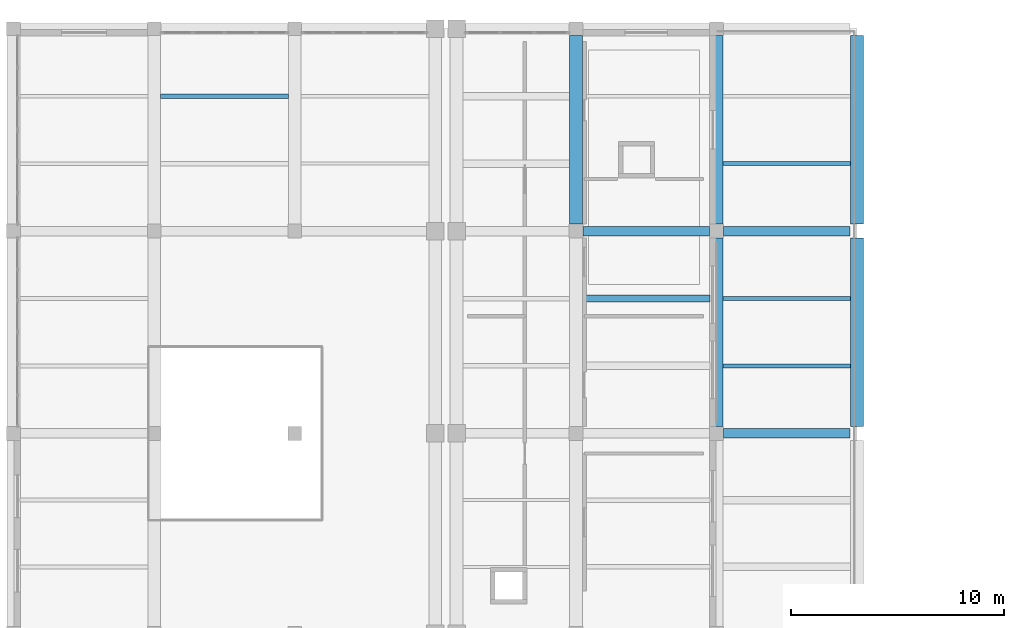
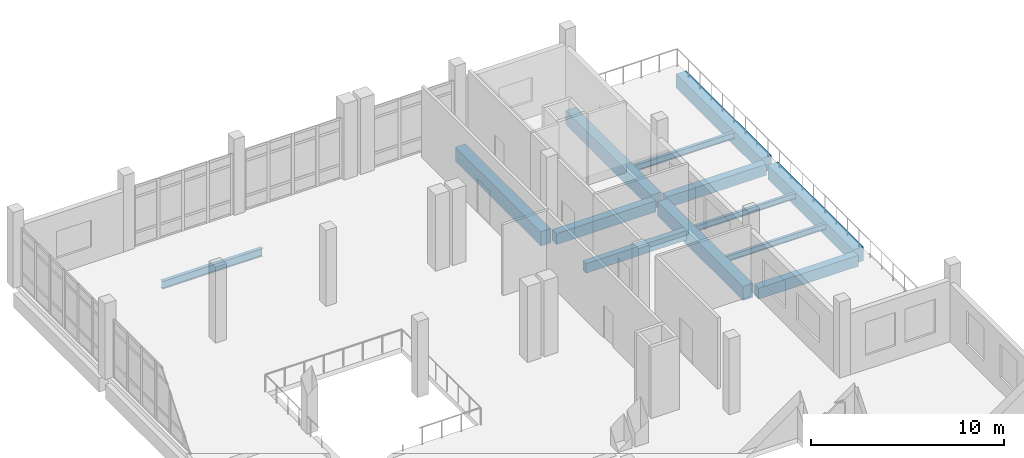
# One storey, part 30 of 73: 13 beams.
"""IFC4 building model written with IfcOpenShell, lengths in metres."""

from ifc_helpers import new_model, si_unit, direction, frame, origin, origin_2d, place, context, subcontext, project, spatial, rectangle, i_section, extrude, material, material_profile, profile_set, type_object, element, save


model = new_model("IFC4")

# Units and contexts
model_context = context("Model", 3, precision=1e-05, world=origin(), true_north=direction((0.0, 1.0)))
body_context = subcontext(model_context, "Body", "Model", "MODEL_VIEW")
ifc_project = project(units=[si_unit("LENGTHUNIT", "METRE"), si_unit("AREAUNIT", "SQUARE_METRE"), si_unit("VOLUMEUNIT", "CUBIC_METRE"), si_unit("PLANEANGLEUNIT", "RADIAN"), si_unit("MASSUNIT", "GRAM", prefix="KILO")], contexts=[model_context])

# Site, building, storey
site_placement = place(None, origin())
site = spatial("IfcSite", under=ifc_project, at=site_placement, CompositionType="ELEMENT")
building_placement = place(site_placement, origin())
building = spatial("IfcBuilding", under=site, at=building_placement, Name="Kelarvand Opera House", CompositionType="ELEMENT")
storey_placement = place(building_placement, frame((0.0, 0.0, 10.199951171875)))
storey = spatial("IfcBuildingStorey", under=building, at=storey_placement, Name="L02", CompositionType="ELEMENT", Elevation=10.199951171875)

# Beams
ifc_material_1 = material(Name="Concrete C35/45", Category="concrete")
ifc_material_profile_1 = material_profile(ifc_material_1, rectangle(XDim=0.35009765625, YDim=0.60009765625, at=origin_2d()), Name="RC 350x600", Category="concrete")
ifc_profile_set_1 = profile_set([ifc_material_profile_1], Name="Concrete C35/45")
beam_type_1 = type_object("IfcBeamType", Name="Structural Beam RC 350x600 BM-RC350x600", PredefinedType="BEAM", material=ifc_profile_set_1)
beam_1_placement = place(storey_placement, frame((122.300048828125, 112.333251953125, -0.599853515625), z_axis=(1.0, 0.0, 0.0), x_axis=(0.0, 1.0, 0.0)))
element("IfcBeam", 1, at=beam_1_placement, inside=storey, type_object=beam_type_1, Name="V5 L02 Beam BM-RC350x600", PredefinedType="BEAM", context=body_context, shape_type="SweptSolid", body=[
    extrude(rectangle(XDim=0.35009765625, YDim=0.60009765625, at=origin_2d()), origin(), (0.0, 0.0, 1.0), 6.0),
])
ifc_material_2 = material(Name="Concrete C40/50", Category="concrete")
ifc_material_profile_2 = material_profile(ifc_material_2, rectangle(XDim=0.449951171875, YDim=0.699951171875, at=origin_2d()), Name="RC 450x700", Category="concrete")
ifc_profile_set_2 = profile_set([ifc_material_profile_2], Name="Concrete C40/50")
beam_type_2 = type_object("IfcBeamType", Name="Structural Beam RC 450x700 BM-RC450x700", PredefinedType="BEAM", material=ifc_profile_set_2)
for number, where, z_axis, x_axis, name in (
    (2, (128.925048828125, 106.0, -0.64990234375), (1.0, 0.0, 0.0), (0.0, 1.0, 0.0), "V5 L02 Beam BM-RC450x700"),
    (3, (122.324951171875, 115.5, -0.64990234375), (1.0, 0.0, 0.0), (0.0, 1.0, 0.0), "V5 L02 Beam BM-RC450x700"),
    (4, (128.925048828125, 115.5, -0.64990234375), (1.0, 0.0, 0.0), (0.0, 1.0, 0.0), "V5 L02 Beam BM-RC450x700"),
):
    element("IfcBeam", number, at=place(storey_placement, frame(where, z_axis=z_axis, x_axis=x_axis)), inside=storey, type_object=beam_type_2, Name=name, PredefinedType="BEAM", context=body_context, shape_type="SweptSolid", body=[
        extrude(rectangle(XDim=0.449951171875, YDim=0.699951171875, at=origin_2d()), origin(), (0.0, 0.0, 1.0), 5.949951171875),
    ])
ifc_material_profile_3 = material_profile(ifc_material_2, rectangle(XDim=0.60009765625, YDim=0.89990234375, at=origin_2d()), Name="RC 600x900", Category="concrete")
ifc_profile_set_3 = profile_set([ifc_material_profile_3], Name="Concrete C40/50")
beam_type_3 = type_object("IfcBeamType", Name="Structural Beam RC 600x900 BM-RC600x900", PredefinedType="BEAM", material=ifc_profile_set_3)
for number, where, z_axis, x_axis, name in (
    (5, (122.0, 115.824951171875, -0.75), (0.0, 1.0, 0.0), (-1.0, 0.0, 0.0), "V5 L02 Beam BM-RC600x900"),
    (6, (128.60009765625, 106.324951171875, -0.75), (0.0, 1.0, 0.0), (-1.0, 0.0, 0.0), "V5 L02 Beam BM-RC600x900"),
    (7, (128.60009765625, 115.824951171875, -0.75), (0.0, 1.0, 0.0), (-1.0, 0.0, 0.0), "V5 L02 Beam BM-RC600x900"),
):
    element("IfcBeam", number, at=place(storey_placement, frame(where, z_axis=z_axis, x_axis=x_axis)), inside=storey, type_object=beam_type_3, Name=name, PredefinedType="BEAM", context=body_context, shape_type="SweptSolid", body=[
        extrude(rectangle(XDim=0.60009765625, YDim=0.89990234375, at=origin_2d()), origin(), (0.0, 0.0, 1.0), 8.85009765625),
    ])
ifc_material_3 = material(Name="Steel S355", Category="steel")
ifc_material_profile_4 = material_profile(ifc_material_3, i_section(OverallWidth=0.169921875, OverallDepth=0.360107421875, WebThickness=0.008056640625, FlangeThickness=0.0126953125, at=origin_2d()), Name="IPE 360", Category="steel")
ifc_profile_set_4 = profile_set([ifc_material_profile_4], Name="Steel S355")
beam_type_4 = type_object("IfcBeamType", Name="Structural Joist IPE 360 JS-IPE360", PredefinedType="JOIST", material=ifc_profile_set_4)
for number, where, z_axis, x_axis, name in (
    (8, (128.89990234375, 109.166748046875, -0.47998046875), (1.0, 0.0, 0.0), (0.0, 1.0, 0.0), "V5 L02 Beam JS-IPE360"),
    (9, (128.89990234375, 112.333251953125, -0.47998046875), (1.0, 0.0, 0.0), (0.0, 1.0, 0.0), "V5 L02 Beam JS-IPE360"),
):
    element("IfcBeam", number, at=place(storey_placement, frame(where, z_axis=z_axis, x_axis=x_axis)), inside=storey, type_object=beam_type_4, Name=name, PredefinedType="JOIST", context=body_context, shape_type="SweptSolid", body=[
        extrude(i_section(OverallWidth=0.169921875, OverallDepth=0.360107421875, WebThickness=0.008056640625, FlangeThickness=0.0126953125, at=origin_2d()), origin(), (0.0, 0.0, 1.0), 6.0),
    ])
ifc_material_profile_5 = material_profile(ifc_material_3, i_section(OverallWidth=0.179931640625, OverallDepth=0.39990234375, WebThickness=0.008544921875, FlangeThickness=0.013427734375, at=origin_2d()), Name="IPE 400", Category="steel")
ifc_profile_set_5 = profile_set([ifc_material_profile_5], Name="Steel S355")
beam_type_5 = type_object("IfcBeamType", Name="Structural Joist IPE 400 JS-IPE400", PredefinedType="JOIST", material=ifc_profile_set_5)
beam_2_placement = place(storey_placement, frame((128.89990234375, 118.666748046875, -0.5), z_axis=(1.0, 0.0, 0.0), x_axis=(0.0, 1.0, 0.0)))
element("IfcBeam", 10, at=beam_2_placement, inside=storey, type_object=beam_type_5, Name="V5 L02 Beam JS-IPE400", PredefinedType="JOIST", context=body_context, shape_type="SweptSolid", body=[
    extrude(i_section(OverallWidth=0.179931640625, OverallDepth=0.39990234375, WebThickness=0.008544921875, FlangeThickness=0.013427734375, at=origin_2d()), origin(), (0.0, 0.0, 1.0), 6.0),
])
ifc_material_profile_6 = material_profile(ifc_material_3, i_section(OverallWidth=0.199951171875, OverallDepth=0.5, WebThickness=0.01025390625, FlangeThickness=0.01611328125, at=origin_2d()), Name="IPE 500", Category="steel")
ifc_profile_set_6 = profile_set([ifc_material_profile_6], Name="Steel S355")
beam_type_6 = type_object("IfcBeamType", Name="Structural Joist IPE 500 JS-IPE500", PredefinedType="JOIST", material=ifc_profile_set_6)
beam_3_placement = place(storey_placement, frame((102.5, 121.833251953125, -0.550048828125), z_axis=(1.0, 0.0, 0.0), x_axis=(0.0, 1.0, 0.0)))
element("IfcBeam", 11, at=beam_3_placement, inside=storey, type_object=beam_type_6, Name="V5 L02 Beam JS-IPE500", PredefinedType="JOIST", context=body_context, shape_type="SweptSolid", body=[
    extrude(i_section(OverallWidth=0.199951171875, OverallDepth=0.5, WebThickness=0.01025390625, FlangeThickness=0.01611328125, at=origin_2d()), origin(), (0.0, 0.0, 1.0), 6.0),
])
ifc_material_profile_7 = material_profile(ifc_material_2, rectangle(XDim=0.60009765625, YDim=0.89990234375, at=origin_2d()), Name="RC 600x900", Category="concrete")
ifc_profile_set_7 = profile_set([ifc_material_profile_7], Name="Concrete C40/50")
beam_type_7 = type_object("IfcBeamType", Name="Structural Spandrel RC 600x900 SP-RC600x900E", PredefinedType="SPANDREL", material=ifc_profile_set_7)
for number, where, z_axis, x_axis, name in (
    (12, (135.199951171875, 106.324951171875, -0.75), (0.0, 1.0, 0.0), (-1.0, 0.0, 0.0), "V5 L02 Beam SP-RC600x900E"),
    (13, (135.199951171875, 115.824951171875, -0.75), (0.0, 1.0, 0.0), (-1.0, 0.0, 0.0), "V5 L02 Beam SP-RC600x900E"),
):
    element("IfcBeam", number, at=place(storey_placement, frame(where, z_axis=z_axis, x_axis=x_axis)), inside=storey, type_object=beam_type_7, Name=name, PredefinedType="SPANDREL", context=body_context, shape_type="SweptSolid", body=[
        extrude(rectangle(XDim=0.60009765625, YDim=0.89990234375, at=origin_2d()), origin(), (0.0, 0.0, 1.0), 8.85009765625),
    ])

save(model, "model.ifc")
